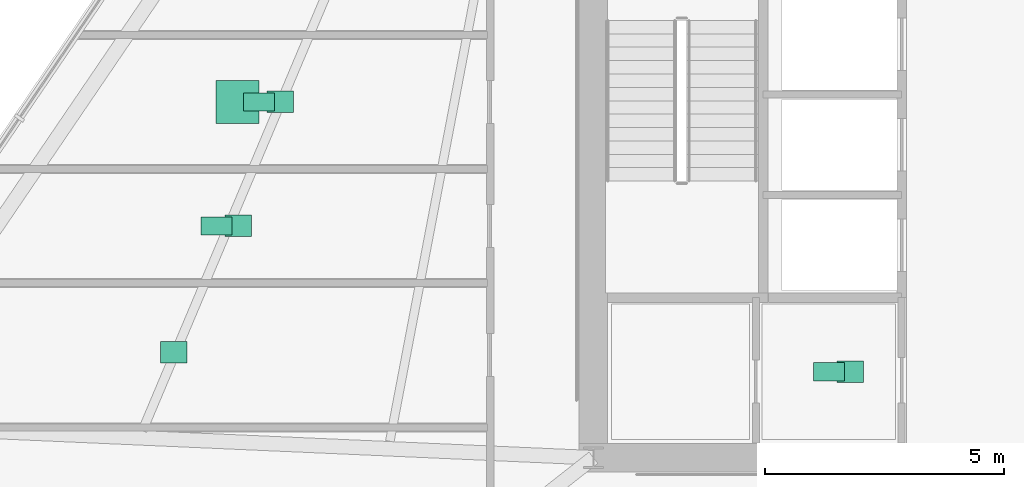
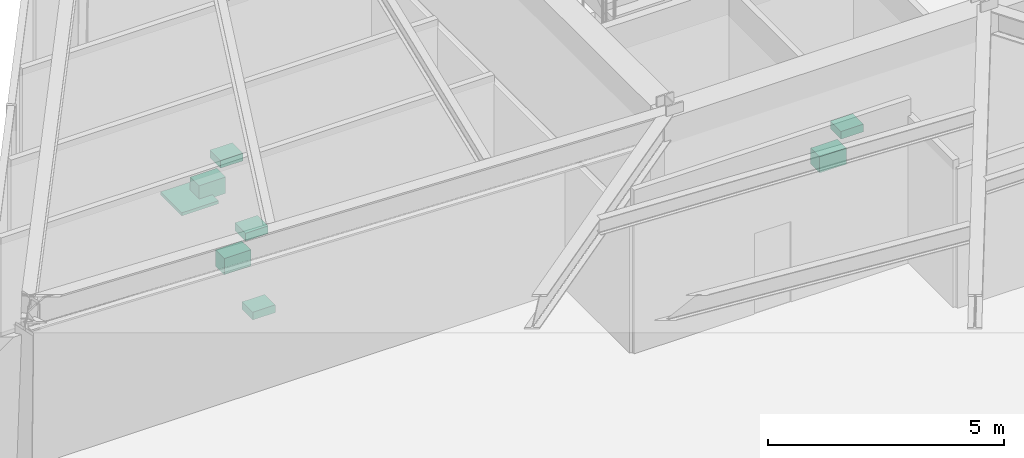
# One storey, part 14 of 14: 8 sanitary terminals.
"""IFC4 building model written with IfcOpenShell, lengths in metres."""

from ifc_helpers import new_model, si_unit, direction, frame, origin, origin_2d, place, context, subcontext, project, spatial, rectangle, extrude, material, type_object, element, save


model = new_model("IFC4")

# Units and contexts
model_context = context("Model", 3, precision=1e-05, world=origin(), true_north=direction((0.0, 1.0)))
body_context = subcontext(model_context, "Body", "Model", "MODEL_VIEW")
ifc_project = project(units=[si_unit("LENGTHUNIT", "METRE"), si_unit("AREAUNIT", "SQUARE_METRE"), si_unit("VOLUMEUNIT", "CUBIC_METRE"), si_unit("PLANEANGLEUNIT", "RADIAN"), si_unit("MASSUNIT", "GRAM", prefix="KILO")], contexts=[model_context])

# Site, building, storey
site_placement = place(None, origin())
site = spatial("IfcSite", under=ifc_project, at=site_placement, CompositionType="ELEMENT")
building_placement = place(site_placement, origin())
building = spatial("IfcBuilding", under=site, at=building_placement, Name="Savorim Split Tower", CompositionType="ELEMENT")
storey_placement = place(building_placement, frame((0.0, 0.0, 78.0)))
storey = spatial("IfcBuildingStorey", under=building, at=storey_placement, Name="L20", CompositionType="ELEMENT", Elevation=78.0)

# Sanitary terminals
ifc_material = material(Name="Vitreous China Sanitaryware")
sanitary_terminal_type_1 = type_object("IfcSanitaryTerminalType", Name="SAN-SHW-900", PredefinedType="SHOWER", material=ifc_material)
sanitary_terminal_placement = place(storey_placement, frame((-15.1513671875, -1.9541015625, 0.0), z_axis=(0.0, 0.0, 1.0), x_axis=(1.0, 0.0, 0.0)))
element("IfcSanitaryTerminal", 1, at=sanitary_terminal_placement, inside=storey, type_object=sanitary_terminal_type_1, Name="L20 Shared Bathroom Shower", PredefinedType="SHOWER", context=body_context, shape_type="SweptSolid", body=[
    extrude(rectangle(XDim=0.89990234375, YDim=0.89990234375, at=origin_2d()), origin(), (0.0, 0.0, 1.0), 0.080078125),
])
sanitary_terminal_type_2 = type_object("IfcSanitaryTerminalType", Name="SAN-WC-PAN", PredefinedType="TOILETPAN", material=ifc_material)
for number, where, z_axis, x_axis, name in (
    (2, (-2.77490234375, -7.60009765625, 0.0), (0.0, 0.0, 1.0), (1.0, 0.0, 0.0), "L20 Accessible WC WC Pan"),
    (3, (-14.701416015625, -1.9541015625, 0.0), (0.0, 0.0, 1.0), (1.0, 0.0, 0.0), "L20 Shared Bathroom WC Pan"),
    (4, (-15.583740234375, -4.54833984375, 0.0), (0.0, 0.0, 1.0), (1.0, 0.0, 0.0), "L20 Accessible WC WC Pan"),
):
    element("IfcSanitaryTerminal", number, at=place(storey_placement, frame(where, z_axis=z_axis, x_axis=x_axis)), inside=storey, type_object=sanitary_terminal_type_2, Name=name, PredefinedType="TOILETPAN", context=body_context, shape_type="SweptSolid", body=[
        extrude(rectangle(XDim=0.64990234375, YDim=0.3798828125, at=origin_2d()), origin(), (0.0, 0.0, 1.0), 0.419921875),
    ])
sanitary_terminal_type_3 = type_object("IfcSanitaryTerminalType", Name="SAN-WHB-550", PredefinedType="WASHHANDBASIN", material=ifc_material)
for number, where, z_axis, x_axis, name in (
    (5, (-2.324951171875, -7.60009765625, 0.72021484375), (0.0, 0.0, 1.0), (1.0, 0.0, 0.0), "L20 Accessible WC Washhand Basin"),
    (6, (-14.251220703125, -1.9541015625, 0.72021484375), (0.0, 0.0, 1.0), (1.0, 0.0, 0.0), "L20 Shared Bathroom Washhand Basin"),
    (7, (-15.1337890625, -4.54833984375, 0.72021484375), (0.0, 0.0, 1.0), (1.0, 0.0, 0.0), "L20 Accessible WC Washhand Basin"),
    (8, (-16.481689453125, -7.188720703125, 0.75), (0.0, 0.0, 1.0), (1.0, 0.0, 0.0), "L20 Communal Kitchen Utility Sink"),
):
    element("IfcSanitaryTerminal", number, at=place(storey_placement, frame(where, z_axis=z_axis, x_axis=x_axis)), inside=storey, type_object=sanitary_terminal_type_3, Name=name, PredefinedType="WASHHANDBASIN", context=body_context, shape_type="SweptSolid", body=[
        extrude(rectangle(XDim=0.550048828125, YDim=0.449951171875, at=origin_2d()), origin(), (0.0, 0.0, 1.0), 0.199951171875),
    ])

save(model, "model.ifc")
